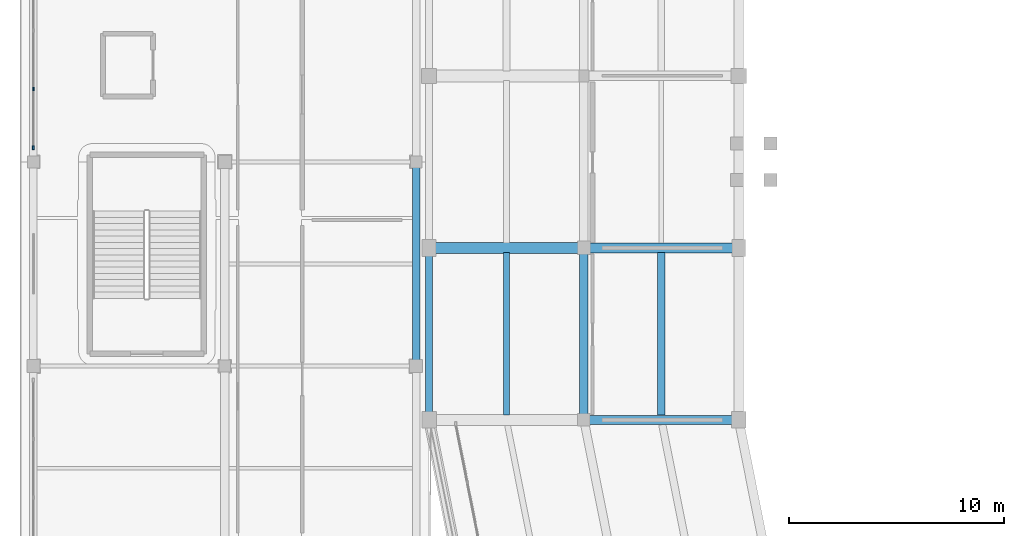
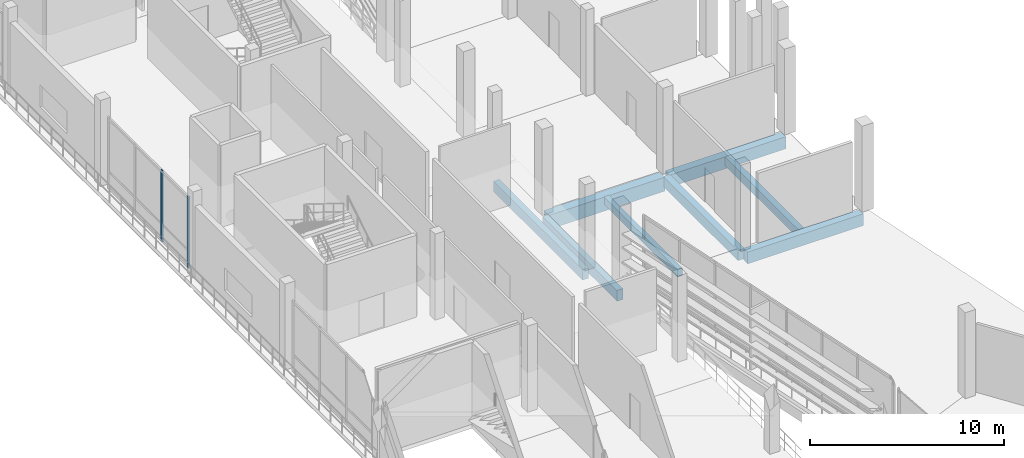
# One storey, part 23 of 111: 8 beams, 2 members, 1 element without a shape of its own.
"""IFC4 building model written with IfcOpenShell, lengths in metres."""

from ifc_helpers import new_model, si_unit, direction, frame, origin, origin_2d, place, context, subcontext, project, spatial, rectangle, extrude, material, material_profile, profile_set, type_object, element, aggregate, save


model = new_model("IFC4")

# Units and contexts
model_context = context("Model", 3, precision=1e-05, world=origin(), true_north=direction((0.0, 1.0)))
body_context = subcontext(model_context, "Body", "Model", "MODEL_VIEW")
ifc_project = project(units=[si_unit("LENGTHUNIT", "METRE"), si_unit("AREAUNIT", "SQUARE_METRE"), si_unit("VOLUMEUNIT", "CUBIC_METRE"), si_unit("PLANEANGLEUNIT", "RADIAN"), si_unit("MASSUNIT", "GRAM", prefix="KILO")], contexts=[model_context])

# Site, building, storey
site_placement = place(None, origin())
site = spatial("IfcSite", under=ifc_project, at=site_placement, CompositionType="ELEMENT")
building_placement = place(site_placement, origin())
building = spatial("IfcBuilding", under=site, at=building_placement, Name="Candeia Ridge Stadium", CompositionType="ELEMENT")
storey_placement = place(building_placement, frame((0.0, 0.0, 16.199951171875)))
storey = spatial("IfcBuildingStorey", under=building, at=storey_placement, Name="L03", CompositionType="ELEMENT", Elevation=16.199951171875)

# Beam
ifc_material_1 = material(Name="Concrete C40/50", Category="concrete")
ifc_material_profile_1 = material_profile(ifc_material_1, rectangle(XDim=0.35009765625, YDim=0.550048828125, at=origin_2d()), Name="RC350x550", Category="concrete")
ifc_profile_set_1 = profile_set([ifc_material_profile_1], Name="Concrete C40/50")
beam_type_1 = type_object("IfcBeamType", Name="Concourse Concrete Joist RC350x550", PredefinedType="JOIST", material=ifc_profile_set_1)
beam_1_placement = place(storey_placement, frame((29.800048828125, 78.778076171875, -0.52490234375), z_axis=(0.0, -1.0, 0.0), x_axis=(1.0, 0.0, 0.0)))
element("IfcBeam", 1, at=beam_1_placement, inside=storey, type_object=beam_type_1, Name="Concourse secondary joist BM-L03-0616", PredefinedType="JOIST", context=body_context, shape_type="SweptSolid", body=[
    extrude(rectangle(XDim=0.35009765625, YDim=0.550048828125, at=origin_2d()), origin(), (0.0, 0.0, 1.0), 7.55615234375),
])

# Curtain wall, members
ifc_material_2 = material(Name="Aluminium Anodized Warm Bronze", Category="aluminium")
curtain_wall_type = type_object("IfcCurtainWallType", Name="West Pavilion Hospitality Curtain Wall", PredefinedType="NOTDEFINED", material=ifc_material_2)
curtain_wall_placement = place(storey_placement, origin())
curtain_wall = element("IfcCurtainWall", 2, at=curtain_wall_placement, inside=storey, type_object=curtain_wall_type, Name="Unitised curtain wall CW-WNG-L03-090", PredefinedType="NOTDEFINED")
ifc_material_profile_2 = material_profile(ifc_material_2, rectangle(XDim=0.090087890625, YDim=0.179931640625, at=origin_2d()), Name="CWM-90x180", Category="aluminium")
ifc_profile_set_2 = profile_set([ifc_material_profile_2], Name="Aluminium Anodized Warm Bronze")
member_type_1 = type_object("IfcMemberType", Name="Curtain Wall Primary Mullion 90x180", PredefinedType="MULLION", material=ifc_profile_set_2)
member_1_placement = place(storey_placement, frame((0.60009765625, 83.659912109375, 0.0), z_axis=(0.0, 0.0, 1.0), x_axis=(1.0, 0.0, 0.0)))
member_1 = element("IfcMember", 3, at=member_1_placement, type_object=member_type_1, Name="Curtain wall mullion CW-WNG-L03-090-M0", PredefinedType="MULLION", context=body_context, shape_type="SweptSolid", body=[
    extrude(rectangle(XDim=0.090087890625, YDim=0.179931640625, at=origin_2d()), origin(), (0.0, 0.0, 1.0), 4.47509765625),
])
ifc_material_profile_3 = material_profile(ifc_material_2, rectangle(XDim=0.074951171875, YDim=0.14990234375, at=origin_2d()), Name="CWM-75x150", Category="aluminium")
ifc_profile_set_3 = profile_set([ifc_material_profile_3], Name="Aluminium Anodized Warm Bronze")
member_type_2 = type_object("IfcMemberType", Name="Curtain Wall Secondary Mullion 75x150", PredefinedType="MULLION", material=ifc_profile_set_3)
member_2_placement = place(storey_placement, frame((0.60009765625, 86.38671875, 0.0), z_axis=(0.0, 0.0, 1.0), x_axis=(1.0, 0.0, 0.0)))
member_2 = element("IfcMember", 4, at=member_2_placement, type_object=member_type_2, Name="Curtain wall mullion CW-WNG-L03-090-M1", PredefinedType="MULLION", context=body_context, shape_type="SweptSolid", body=[
    extrude(rectangle(XDim=0.074951171875, YDim=0.14990234375, at=origin_2d()), origin(), (0.0, 0.0, 1.0), 4.47509765625),
])
aggregate(curtain_wall, [member_1, member_2])

# Beams
ifc_material_profile_4 = material_profile(ifc_material_1, rectangle(XDim=0.2900390625, YDim=0.469970703125, at=origin_2d()), Name="RC290x470", Category="concrete")
ifc_profile_set_4 = profile_set([ifc_material_profile_4], Name="Concrete C40/50")
beam_type_2 = type_object("IfcBeamType", Name="Floor Joist RC290x470", PredefinedType="JOIST", material=ifc_profile_set_4)
beam_2_placement = place(storey_placement, frame((22.60009765625, 78.778076171875, -0.48486328125), z_axis=(0.0, -1.0, 0.0), x_axis=(1.0, 0.0, 0.0)))
element("IfcBeam", 5, at=beam_2_placement, inside=storey, type_object=beam_type_2, Name="Concourse secondary joist BM-L03-0617", PredefinedType="JOIST", context=body_context, shape_type="SweptSolid", body=[
    extrude(rectangle(XDim=0.2900390625, YDim=0.469970703125, at=origin_2d()), origin(), (0.0, 0.0, 1.0), 7.55615234375),
])
ifc_material_profile_5 = material_profile(ifc_material_1, rectangle(XDim=0.389892578125, YDim=0.639892578125, at=origin_2d()), Name="RC390x640", Category="concrete")
ifc_profile_set_5 = profile_set([ifc_material_profile_5], Name="Concrete C40/50")
beam_type_3 = type_object("IfcBeamType", Name="Frame Girder RC390x640", PredefinedType="BEAM", material=ifc_profile_set_5)
beam_3_placement = place(storey_placement, frame((26.199951171875, 78.840087890625, -0.570068359375), z_axis=(0.0, -1.0, 0.0), x_axis=(1.0, 0.0, 0.0)))
element("IfcBeam", 6, at=beam_3_placement, inside=storey, type_object=beam_type_3, Name="Concourse spine girder BM-L03-0614", PredefinedType="BEAM", context=body_context, shape_type="SweptSolid", body=[
    extrude(rectangle(XDim=0.389892578125, YDim=0.639892578125, at=origin_2d()), origin(), (0.0, 0.0, 1.0), 7.68017578125),
])
ifc_material_profile_6 = material_profile(ifc_material_1, rectangle(XDim=0.429931640625, YDim=0.739990234375, at=origin_2d()), Name="RC430x740", Category="concrete")
ifc_profile_set_6 = profile_set([ifc_material_profile_6], Name="Concrete C40/50")
beam_type_4 = type_object("IfcBeamType", Name="Frame Girder RC430x740", PredefinedType="BEAM", material=ifc_profile_set_6)
beam_4_placement = place(storey_placement, frame((33.239990234375, 71.0, -0.619873046875), z_axis=(-1.0, 0.0, 0.0), x_axis=(0.0, -1.0, 0.0)))
element("IfcBeam", 7, at=beam_4_placement, inside=storey, type_object=beam_type_4, Name="Bowl radial girder BM-L03-0509", PredefinedType="BEAM", context=body_context, shape_type="SweptSolid", body=[
    extrude(rectangle(XDim=0.429931640625, YDim=0.739990234375, at=origin_2d()), origin(), (0.0, 0.0, 1.0), 6.8798828125),
])
ifc_material_profile_7 = material_profile(ifc_material_1, rectangle(XDim=0.469970703125, YDim=0.760009765625, at=origin_2d()), Name="RC470x760", Category="concrete")
ifc_profile_set_7 = profile_set([ifc_material_profile_7], Name="Concrete C40/50")
beam_type_5 = type_object("IfcBeamType", Name="Frame Girder RC470x760", PredefinedType="BEAM", material=ifc_profile_set_7)
beam_5_placement = place(storey_placement, frame((33.239990234375, 79.0, -0.6298828125), z_axis=(-1.0, 0.0, 0.0), x_axis=(0.0, -1.0, 0.0)))
element("IfcBeam", 8, at=beam_5_placement, inside=storey, type_object=beam_type_5, Name="Bowl radial girder BM-L03-0507", PredefinedType="BEAM", context=body_context, shape_type="SweptSolid", body=[
    extrude(rectangle(XDim=0.469970703125, YDim=0.760009765625, at=origin_2d()), origin(), (0.0, 0.0, 1.0), 6.8798828125),
])
ifc_material_3 = material(Name="Concrete C45/55", Category="concrete")
ifc_material_profile_8 = material_profile(ifc_material_3, rectangle(XDim=0.52001953125, YDim=0.8798828125, at=origin_2d()), Name="RC520x880", Category="concrete")
ifc_profile_set_8 = profile_set([ifc_material_profile_8], Name="Concrete C45/55")
beam_type_6 = type_object("IfcBeamType", Name="Frame Girder RC520x880", PredefinedType="BEAM", material=ifc_profile_set_8)
beam_6_placement = place(storey_placement, frame((26.0400390625, 79.0, -0.68994140625), z_axis=(-1.0, 0.0, 0.0), x_axis=(0.0, -1.0, 0.0)))
element("IfcBeam", 9, at=beam_6_placement, inside=storey, type_object=beam_type_6, Name="Bowl radial girder BM-L03-0508", PredefinedType="BEAM", context=body_context, shape_type="SweptSolid", body=[
    extrude(rectangle(XDim=0.52001953125, YDim=0.8798828125, at=origin_2d()), origin(), (0.0, 0.0, 1.0), 6.880126953125),
])
ifc_material_profile_9 = material_profile(ifc_material_1, rectangle(XDim=0.340087890625, YDim=0.679931640625, at=origin_2d()), Name="RC340x680", Category="concrete")
ifc_profile_set_9 = profile_set([ifc_material_profile_9], Name="Concrete C40/50")
beam_type_7 = type_object("IfcBeamType", Name="Spandrel Beam RC340x680", PredefinedType="SPANDREL", material=ifc_profile_set_9)
beam_7_placement = place(storey_placement, frame((19.0, 78.840087890625, -0.58984375), z_axis=(0.0, -1.0, 0.0), x_axis=(1.0, 0.0, 0.0)))
element("IfcBeam", 10, at=beam_7_placement, inside=storey, type_object=beam_type_7, Name="Bowl perimeter spandrel BM-L03-0615", PredefinedType="SPANDREL", context=body_context, shape_type="SweptSolid", body=[
    extrude(rectangle(XDim=0.340087890625, YDim=0.679931640625, at=origin_2d()), origin(), (0.0, 0.0, 1.0), 7.68017578125),
])
ifc_material_profile_10 = material_profile(ifc_material_1, rectangle(XDim=0.35009765625, YDim=0.64990234375, at=origin_2d()), Name="RC350x650", Category="concrete")
ifc_profile_set_10 = profile_set([ifc_material_profile_10], Name="Concrete C40/50")
beam_type_8 = type_object("IfcBeamType", Name="Spandrel Beam RC350x650", PredefinedType="SPANDREL", material=ifc_profile_set_10)
beam_8_placement = place(storey_placement, frame((18.39990234375, 73.659912109375, -0.574951171875), z_axis=(0.0, 1.0, 0.0), x_axis=(-1.0, 0.0, 0.0)))
element("IfcBeam", 11, at=beam_8_placement, inside=storey, type_object=beam_type_8, Name="Structural girder BM-L03-1224", PredefinedType="SPANDREL", context=body_context, shape_type="SweptSolid", body=[
    extrude(rectangle(XDim=0.35009765625, YDim=0.64990234375, at=origin_2d()), origin(), (0.0, 0.0, 1.0), 9.18017578125),
])

save(model, "model.ifc")
